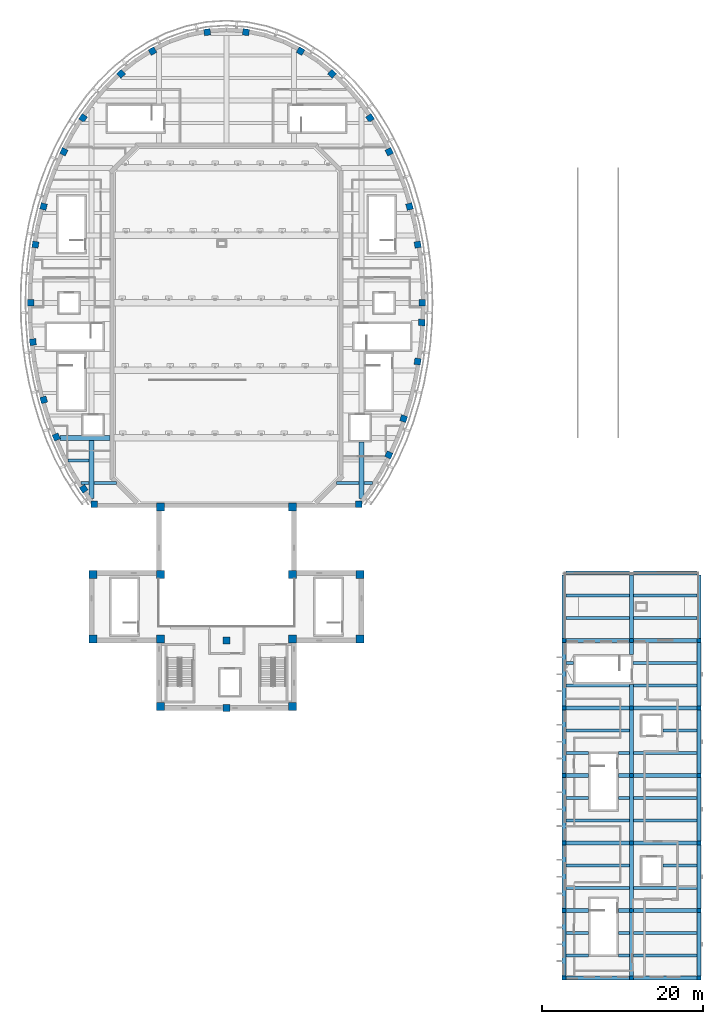
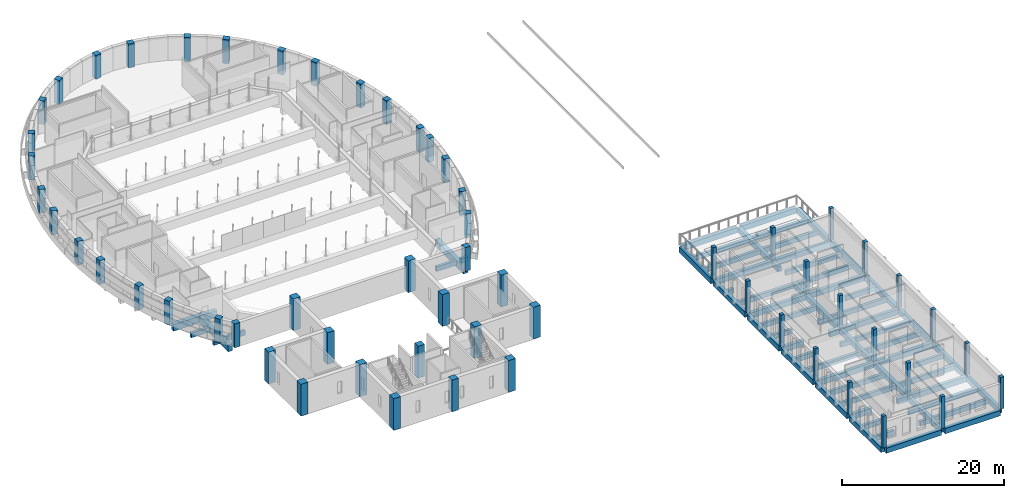
# One storey, part 1 of 47: 71 beams, 58 columns.
"""IFC4 building model written with IfcOpenShell, lengths in metres."""

from ifc_helpers import new_model, si_unit, direction, frame, origin, origin_2d, place, context, subcontext, project, spatial, rectangle, extrude, material, material_profile, profile_set, type_object, element, save


model = new_model("IFC4")

# Units and contexts
model_context = context("Model", 3, precision=1e-05, world=origin(), true_north=direction((0.0, 1.0)))
body_context = subcontext(model_context, "Body", "Model", "MODEL_VIEW")
ifc_project = project(units=[si_unit("LENGTHUNIT", "METRE"), si_unit("AREAUNIT", "SQUARE_METRE"), si_unit("VOLUMEUNIT", "CUBIC_METRE"), si_unit("PLANEANGLEUNIT", "RADIAN"), si_unit("MASSUNIT", "GRAM", prefix="KILO")], contexts=[model_context])

# Site, building, storey
site_placement = place(None, origin())
site = spatial("IfcSite", under=ifc_project, at=site_placement, CompositionType="ELEMENT")
building_placement = place(site_placement, origin())
building = spatial("IfcBuilding", under=site, at=building_placement, Name="Larchfold Concert Hall", CompositionType="ELEMENT")
storey_placement = place(building_placement, frame((0.0, 0.0, 24.0)))
storey = spatial("IfcBuildingStorey", under=building, at=storey_placement, Name="L05", CompositionType="ELEMENT", Elevation=24.0)

# Columns
ifc_material_1 = material(Name="Concrete C35/45", Category="concrete")
ifc_material_profile_1 = material_profile(ifc_material_1, rectangle(XDim=1.0, YDim=1.0, at=origin_2d()))
ifc_profile_set_1 = profile_set([ifc_material_profile_1], Name="Concrete C35/45")
column_type_1 = type_object("IfcColumnType", Name="Column RC 1000x1000", PredefinedType="COLUMN", material=ifc_profile_set_1)
for number, where, z_axis, x_axis, name in (
    (1, (26.0, 42.800048828125, 0.0), (0.0, 0.0, 1.0), (1.0, 0.0, 0.0), "Column C0019"),
    (2, (26.0, 50.800048828125, 0.0), (0.0, 0.0, 1.0), (1.0, 0.0, 0.0), "Column C0020"),
    (3, (34.39990234375, 34.39990234375, 0.0), (0.0, 0.0, 1.0), (1.0, 0.0, 0.0), "Column C0021"),
    (4, (34.39990234375, 42.800048828125, 0.0), (0.0, 0.0, 1.0), (1.0, 0.0, 0.0), "Column C0022"),
    (5, (34.39990234375, 50.800048828125, 0.0), (0.0, 0.0, 1.0), (1.0, 0.0, 0.0), "Column C0023"),
    (6, (34.39990234375, 59.199951171875, 0.0), (0.0, 0.0, 1.0), (1.0, 0.0, 0.0), "Column C0024"),
    (7, (50.800048828125, 34.39990234375, 0.0), (0.0, 0.0, 1.0), (1.0, 0.0, 0.0), "Column C0027"),
    (8, (50.800048828125, 42.800048828125, 0.0), (0.0, 0.0, 1.0), (1.0, 0.0, 0.0), "Column C0028"),
    (9, (50.800048828125, 50.800048828125, 0.0), (0.0, 0.0, 1.0), (1.0, 0.0, 0.0), "Column C0029"),
    (10, (50.800048828125, 59.199951171875, 0.0), (0.0, 0.0, 1.0), (1.0, 0.0, 0.0), "Column C0030"),
    (11, (59.199951171875, 42.800048828125, 0.0), (0.0, 0.0, 1.0), (1.0, 0.0, 0.0), "Column C0031"),
    (12, (59.199951171875, 50.800048828125, 0.0), (0.0, 0.0, 1.0), (1.0, 0.0, 0.0), "Column C0032"),
):
    element("IfcColumn", number, at=place(storey_placement, frame(where, z_axis=z_axis, x_axis=x_axis)), inside=storey, type_object=column_type_1, Name=name, PredefinedType="COLUMN", context=body_context, shape_type="SweptSolid", body=[
        extrude(rectangle(XDim=1.0, YDim=1.0, at=origin_2d()), origin(), (0.0, 0.0, 1.0), 4.800048828125),
    ])
ifc_material_2 = material(Name="Concrete C35/45", Category="concrete")
ifc_material_profile_2 = material_profile(ifc_material_2, rectangle(XDim=0.5, YDim=0.5, at=origin_2d()))
ifc_profile_set_2 = profile_set([ifc_material_profile_2], Name="Concrete C35/45")
column_type_2 = type_object("IfcColumnType", Name="Column RC 500x500", PredefinedType="COLUMN", material=ifc_profile_set_2)
for number, where, z_axis, x_axis, name in (
    (13, (84.60009765625, 0.60009765625, 0.0), (0.0, 0.0, 1.0), (1.0, 0.0, 0.0), "Column C0001"),
    (14, (84.60009765625, 9.0, 0.0), (0.0, 0.0, 1.0), (1.0, 0.0, 0.0), "Column C0002"),
    (15, (84.60009765625, 17.39990234375, 0.0), (0.0, 0.0, 1.0), (1.0, 0.0, 0.0), "Column C0003"),
    (16, (84.60009765625, 25.800048828125, 0.0), (0.0, 0.0, 1.0), (1.0, 0.0, 0.0), "Column C0004"),
    (17, (84.60009765625, 34.199951171875, 0.0), (0.0, 0.0, 1.0), (1.0, 0.0, 0.0), "Column C0005"),
    (18, (84.60009765625, 42.60009765625, 0.0), (0.0, 0.0, 1.0), (1.0, 0.0, 0.0), "Column C0006"),
    (19, (93.0, 0.60009765625, 0.0), (0.0, 0.0, 1.0), (1.0, 0.0, 0.0), "Column C0007"),
    (20, (93.0, 9.0, 0.0), (0.0, 0.0, 1.0), (1.0, 0.0, 0.0), "Column C0008"),
    (21, (93.0, 17.39990234375, 0.0), (0.0, 0.0, 1.0), (1.0, 0.0, 0.0), "Column C0009"),
    (22, (93.0, 25.800048828125, 0.0), (0.0, 0.0, 1.0), (1.0, 0.0, 0.0), "Column C0010"),
    (23, (93.0, 34.199951171875, 0.0), (0.0, 0.0, 1.0), (1.0, 0.0, 0.0), "Column C0011"),
    (24, (93.0, 42.60009765625, 0.0), (0.0, 0.0, 1.0), (1.0, 0.0, 0.0), "Column C0012"),
    (25, (101.39990234375, 0.60009765625, 0.0), (0.0, 0.0, 1.0), (1.0, 0.0, 0.0), "Column C0013"),
    (26, (101.39990234375, 9.0, 0.0), (0.0, 0.0, 1.0), (1.0, 0.0, 0.0), "Column C0014"),
    (27, (101.39990234375, 17.39990234375, 0.0), (0.0, 0.0, 1.0), (1.0, 0.0, 0.0), "Column C0015"),
    (28, (101.39990234375, 25.800048828125, 0.0), (0.0, 0.0, 1.0), (1.0, 0.0, 0.0), "Column C0016"),
    (29, (101.39990234375, 34.199951171875, 0.0), (0.0, 0.0, 1.0), (1.0, 0.0, 0.0), "Column C0017"),
    (30, (101.39990234375, 42.60009765625, 0.0), (0.0, 0.0, 1.0), (1.0, 0.0, 0.0), "Column C0018"),
):
    element("IfcColumn", number, at=place(storey_placement, frame(where, z_axis=z_axis, x_axis=x_axis)), inside=storey, type_object=column_type_2, Name=name, PredefinedType="COLUMN", context=body_context, shape_type="SweptSolid", body=[
        extrude(rectangle(XDim=0.5, YDim=0.5, at=origin_2d()), origin(), (0.0, 0.0, 1.0), 4.800048828125),
    ])
ifc_material_3 = material(Name="Concrete C35/45", Category="concrete")
ifc_material_profile_3 = material_profile(ifc_material_3, rectangle(XDim=0.800048828125, YDim=0.800048828125, at=origin_2d()))
ifc_profile_set_3 = profile_set([ifc_material_profile_3], Name="Concrete C35/45")
column_type_3 = type_object("IfcColumnType", Name="Column RC 800x800", PredefinedType="COLUMN", material=ifc_profile_set_3)
for number, where, z_axis, x_axis, name in (
    (31, (66.9501953125, 84.60009765625, 0.0), (0.0, 0.0, 1.0), (0.999999999998, 2.069699e-06, 0.0), "Column C9001"),
    (32, (66.384765625, 91.849609375, 0.0), (0.0, 0.0, 1.0), (0.987778077668, 0.155866831876, 0.0), "Column C9002"),
    (33, (65.3701171875, 96.591796875, 0.0), (0.0, 0.0, 1.0), (0.964788079418, 0.263028442973, 0.0), "Column C9003"),
    (34, (62.845458984375, 103.404296875, 0.0), (0.0, 0.0, 1.0), (0.901263073046, 0.433272285247, 0.0), "Column C9004"),
    (35, (60.453369140625, 107.615478515625, 0.0), (0.0, 0.0, 1.0), (0.831867887413, 0.55497370919, 0.0), "Column C9005"),
    (36, (55.727783203125, 113.10693359375, 0.0), (0.0, 0.0, 1.0), (0.664881649498, 0.746948721239, 0.0), "Column C9006"),
    (37, (51.81298828125, 115.932373046875, 0.0), (0.0, 0.0, 1.0), (0.494204498977, 0.869345681068, 0.0), "Column C9007"),
    (38, (45.006103515625, 118.2841796875, 0.0), (0.0, 0.0, 1.0), (0.13683054479, 0.990594468999, 0.0), "Column C9008"),
    (39, (40.194091796875, 118.2841796875, 0.0), (0.0, 0.0, 1.0), (0.990595961709, 0.136819737776, 0.0), "Column C9009"),
    (40, (33.38720703125, 115.932373046875, 0.0), (0.0, 0.0, 1.0), (0.869350146356, 0.49419664409, 0.0), "Column C9010"),
    (41, (29.47216796875, 113.10693359375, 0.0), (0.0, 0.0, 1.0), (0.746953596831, 0.664876172066, 0.0), "Column C9011"),
    (42, (24.746826171875, 107.615478515625, 0.0), (0.0, 0.0, 1.0), (0.554977881431, 0.831865103922, 0.0), "Column C9012"),
    (43, (22.354736328125, 103.404296875, 0.0), (0.0, 0.0, 1.0), (0.433275657946, 0.901261451651, 0.0), "Column C9013"),
    (44, (19.830078125, 96.591796875, 0.0), (0.0, 0.0, 1.0), (0.263030529779, 0.964787510493, 0.0), "Column C9014"),
    (45, (18.8154296875, 91.849609375, 0.0), (0.0, 0.0, 1.0), (0.155868072999, 0.987777881823, 0.0), "Column C9015"),
    (46, (18.25, 84.60009765625, 0.0), (0.0, 0.0, 1.0), (2.069716e-06, 0.999999999998, 0.0), "Column C9016"),
    (47, (18.50390625, 79.725830078125, 0.0), (0.0, 0.0, 1.0), (0.994561340283, 0.104152486359, 0.0), "Column C9017"),
    (48, (19.849853515625, 72.53564453125, 0.0), (0.0, 0.0, 1.0), (0.964323619166, 0.264726193489, 0.0), "Column C9018"),
    (49, (21.414794921875, 67.91552734375, 0.0), (0.0, 0.0, 1.0), (0.926013821217, 0.377489606368, 0.0), "Column C9019"),
    (50, (24.830810546875, 61.459228515625, 0.0), (0.0, 0.0, 1.0), (0.829252824487, 0.558873646794, 0.0), "Column C9020"),
    (51, (26.153076171875, 59.5498046875, 0.0), (0.0, 0.0, 1.0), (1.0, 0.0, 0.0), "Column C9021"),
    (52, (59.047119140625, 59.5498046875, 0.0), (0.0, 0.0, 1.0), (1.0, 0.0, 0.0), "Column C9022"),
    (53, (62.793212890625, 65.687255859375, 0.0), (0.0, 0.0, 1.0), (0.436211127096, 0.899844349095, 0.0), "Column C9023"),
    (54, (64.636474609375, 70.2021484375, 0.0), (0.0, 0.0, 1.0), (0.320382697349, 0.947288196506, 0.0), "Column C9024"),
    (55, (66.377685546875, 77.3056640625, 0.0), (0.0, 0.0, 1.0), (0.156847117791, 0.987622894449, 0.0), "Column C9025"),
    (56, (66.88671875, 82.15966796875, 0.0), (0.0, 0.0, 1.0), (0.051949743743, 0.998649700408, 0.0), "Column C9026"),
):
    element("IfcColumn", number, at=place(storey_placement, frame(where, z_axis=z_axis, x_axis=x_axis)), inside=storey, type_object=column_type_3, Name=name, PredefinedType="COLUMN", context=body_context, shape_type="SweptSolid", body=[
        extrude(rectangle(XDim=0.800048828125, YDim=0.800048828125, at=origin_2d()), origin(), (0.0, 0.0, 1.0), 3.60009765625),
    ])
ifc_material_4 = material(Name="Concrete C35/45", Category="concrete")
ifc_material_profile_4 = material_profile(ifc_material_4, rectangle(XDim=0.89990234375, YDim=0.89990234375, at=origin_2d()))
ifc_profile_set_4 = profile_set([ifc_material_profile_4], Name="Concrete C35/45")
column_type_4 = type_object("IfcColumnType", Name="Column RC 900x900", PredefinedType="COLUMN", material=ifc_profile_set_4)
for number, where, z_axis, x_axis, name in (
    (57, (42.60009765625, 34.199951171875, 0.0), (0.0, 0.0, 1.0), (1.0, 0.0, 0.0), "Column C0025"),
    (58, (42.60009765625, 42.60009765625, 0.0), (0.0, 0.0, 1.0), (1.0, 0.0, 0.0), "Column C0026"),
):
    element("IfcColumn", number, at=place(storey_placement, frame(where, z_axis=z_axis, x_axis=x_axis)), inside=storey, type_object=column_type_4, Name=name, PredefinedType="COLUMN", context=body_context, shape_type="SweptSolid", body=[
        extrude(rectangle(XDim=0.89990234375, YDim=0.89990234375, at=origin_2d()), origin(), (0.0, 0.0, 1.0), 4.800048828125),
    ])

# Beams
ifc_material_5 = material(Name="Concrete C35/45", Category="concrete")
ifc_material_profile_5 = material_profile(ifc_material_5, rectangle(XDim=0.39990234375, YDim=0.699951171875, at=origin_2d()))
ifc_profile_set_5 = profile_set([ifc_material_profile_5], Name="Concrete C35/45")
beam_type_1 = type_object("IfcBeamType", Name="Beam RC 400x700", PredefinedType="BEAM", material=ifc_profile_set_5)
beam_1_placement = place(storey_placement, frame((84.85009765625, 3.39990234375, -0.510009765625), z_axis=(1.0, 0.0, 0.0), x_axis=(0.0, 1.0, 0.0)))
element("IfcBeam", 59, at=beam_1_placement, inside=storey, type_object=beam_type_1, Name="Beam B0828", PredefinedType="BEAM", context=body_context, shape_type="SweptSolid", body=[
    extrude(rectangle(XDim=0.39990234375, YDim=0.699951171875, at=origin_2d()), origin(), (0.0, 0.0, 1.0), 2.7998046875),
])
beam_2_placement = place(storey_placement, frame((91.35009765625, 3.39990234375, -0.510009765625), z_axis=(1.0, 0.0, 0.0), x_axis=(0.0, 1.0, 0.0)))
element("IfcBeam", 60, at=beam_2_placement, inside=storey, type_object=beam_type_1, Name="Beam B0829", PredefinedType="BEAM", context=body_context, shape_type="SweptSolid", body=[
    extrude(rectangle(XDim=0.39990234375, YDim=0.699951171875, at=origin_2d()), origin(), (0.0, 0.0, 1.0), 1.39990234375),
])
beam_3_placement = place(storey_placement, frame((93.25, 3.39990234375, -0.510009765625), z_axis=(1.0, 0.0, 0.0), x_axis=(0.0, 1.0, 0.0)))
element("IfcBeam", 61, at=beam_3_placement, inside=storey, type_object=beam_type_1, Name="Beam B0830", PredefinedType="BEAM", context=body_context, shape_type="SweptSolid", body=[
    extrude(rectangle(XDim=0.39990234375, YDim=0.699951171875, at=origin_2d()), origin(), (0.0, 0.0, 1.0), 7.89990234375),
])
beam_4_placement = place(storey_placement, frame((84.85009765625, 6.199951171875, -0.510009765625), z_axis=(1.0, 0.0, 0.0), x_axis=(0.0, 1.0, 0.0)))
element("IfcBeam", 62, at=beam_4_placement, inside=storey, type_object=beam_type_1, Name="Beam B0831", PredefinedType="BEAM", context=body_context, shape_type="SweptSolid", body=[
    extrude(rectangle(XDim=0.39990234375, YDim=0.699951171875, at=origin_2d()), origin(), (0.0, 0.0, 1.0), 2.7998046875),
])
beam_5_placement = place(storey_placement, frame((91.35009765625, 6.199951171875, -0.510009765625), z_axis=(1.0, 0.0, 0.0), x_axis=(0.0, 1.0, 0.0)))
element("IfcBeam", 63, at=beam_5_placement, inside=storey, type_object=beam_type_1, Name="Beam B0832", PredefinedType="BEAM", context=body_context, shape_type="SweptSolid", body=[
    extrude(rectangle(XDim=0.39990234375, YDim=0.699951171875, at=origin_2d()), origin(), (0.0, 0.0, 1.0), 1.39990234375),
])
for number, where, z_axis, x_axis, name in (
    (64, (93.25, 6.199951171875, -0.510009765625), (1.0, 0.0, 0.0), (0.0, 1.0, 0.0), "Beam B0833"),
    (65, (84.85009765625, 11.800048828125, -0.510009765625), (1.0, 0.0, 0.0), (0.0, 1.0, 0.0), "Beam B0834"),
    (66, (93.25, 11.800048828125, -0.510009765625), (1.0, 0.0, 0.0), (0.0, 1.0, 0.0), "Beam B0835"),
    (67, (84.85009765625, 14.60009765625, -0.510009765625), (1.0, 0.0, 0.0), (0.0, 1.0, 0.0), "Beam B0836"),
):
    element("IfcBeam", number, at=place(storey_placement, frame(where, z_axis=z_axis, x_axis=x_axis)), inside=storey, type_object=beam_type_1, Name=name, PredefinedType="BEAM", context=body_context, shape_type="SweptSolid", body=[
        extrude(rectangle(XDim=0.39990234375, YDim=0.699951171875, at=origin_2d()), origin(), (0.0, 0.0, 1.0), 7.89990234375),
    ])
beam_6_placement = place(storey_placement, frame((96.89990234375, 14.60009765625, -0.510009765625), z_axis=(1.0, 0.0, 0.0), x_axis=(0.0, 1.0, 0.0)))
element("IfcBeam", 68, at=beam_6_placement, inside=storey, type_object=beam_type_1, Name="Beam B0837", PredefinedType="BEAM", context=body_context, shape_type="SweptSolid", body=[
    extrude(rectangle(XDim=0.39990234375, YDim=0.699951171875, at=origin_2d()), origin(), (0.0, 0.0, 1.0), 4.25),
])
for number, where, z_axis, x_axis, name in (
    (69, (84.85009765625, 20.199951171875, -0.510009765625), (1.0, 0.0, 0.0), (0.0, 1.0, 0.0), "Beam B0838"),
    (70, (93.25, 20.199951171875, -0.510009765625), (1.0, 0.0, 0.0), (0.0, 1.0, 0.0), "Beam B0839"),
):
    element("IfcBeam", number, at=place(storey_placement, frame(where, z_axis=z_axis, x_axis=x_axis)), inside=storey, type_object=beam_type_1, Name=name, PredefinedType="BEAM", context=body_context, shape_type="SweptSolid", body=[
        extrude(rectangle(XDim=0.39990234375, YDim=0.699951171875, at=origin_2d()), origin(), (0.0, 0.0, 1.0), 7.89990234375),
    ])
beam_7_placement = place(storey_placement, frame((84.85009765625, 23.0, -0.510009765625), z_axis=(1.0, 0.0, 0.0), x_axis=(0.0, 1.0, 0.0)))
element("IfcBeam", 71, at=beam_7_placement, inside=storey, type_object=beam_type_1, Name="Beam B0840", PredefinedType="BEAM", context=body_context, shape_type="SweptSolid", body=[
    extrude(rectangle(XDim=0.39990234375, YDim=0.699951171875, at=origin_2d()), origin(), (0.0, 0.0, 1.0), 2.7998046875),
])
beam_8_placement = place(storey_placement, frame((91.35009765625, 23.0, -0.510009765625), z_axis=(1.0, 0.0, 0.0), x_axis=(0.0, 1.0, 0.0)))
element("IfcBeam", 72, at=beam_8_placement, inside=storey, type_object=beam_type_1, Name="Beam B0841", PredefinedType="BEAM", context=body_context, shape_type="SweptSolid", body=[
    extrude(rectangle(XDim=0.39990234375, YDim=0.699951171875, at=origin_2d()), origin(), (0.0, 0.0, 1.0), 1.39990234375),
])
beam_9_placement = place(storey_placement, frame((93.25, 23.0, -0.510009765625), z_axis=(1.0, 0.0, 0.0), x_axis=(0.0, 1.0, 0.0)))
element("IfcBeam", 73, at=beam_9_placement, inside=storey, type_object=beam_type_1, Name="Beam B0842", PredefinedType="BEAM", context=body_context, shape_type="SweptSolid", body=[
    extrude(rectangle(XDim=0.39990234375, YDim=0.699951171875, at=origin_2d()), origin(), (0.0, 0.0, 1.0), 7.89990234375),
])
beam_10_placement = place(storey_placement, frame((84.85009765625, 28.60009765625, -0.510009765625), z_axis=(1.0, 0.0, 0.0), x_axis=(0.0, 1.0, 0.0)))
element("IfcBeam", 74, at=beam_10_placement, inside=storey, type_object=beam_type_1, Name="Beam B0843", PredefinedType="BEAM", context=body_context, shape_type="SweptSolid", body=[
    extrude(rectangle(XDim=0.39990234375, YDim=0.699951171875, at=origin_2d()), origin(), (0.0, 0.0, 1.0), 2.7998046875),
])
beam_11_placement = place(storey_placement, frame((91.35009765625, 28.60009765625, -0.510009765625), z_axis=(1.0, 0.0, 0.0), x_axis=(0.0, 1.0, 0.0)))
element("IfcBeam", 75, at=beam_11_placement, inside=storey, type_object=beam_type_1, Name="Beam B0844", PredefinedType="BEAM", context=body_context, shape_type="SweptSolid", body=[
    extrude(rectangle(XDim=0.39990234375, YDim=0.699951171875, at=origin_2d()), origin(), (0.0, 0.0, 1.0), 1.39990234375),
])
for number, where, z_axis, x_axis, name in (
    (76, (93.25, 28.60009765625, -0.510009765625), (1.0, 0.0, 0.0), (0.0, 1.0, 0.0), "Beam B0845"),
    (77, (84.85009765625, 31.39990234375, -0.510009765625), (1.0, 0.0, 0.0), (0.0, 1.0, 0.0), "Beam B0846"),
):
    element("IfcBeam", number, at=place(storey_placement, frame(where, z_axis=z_axis, x_axis=x_axis)), inside=storey, type_object=beam_type_1, Name=name, PredefinedType="BEAM", context=body_context, shape_type="SweptSolid", body=[
        extrude(rectangle(XDim=0.39990234375, YDim=0.699951171875, at=origin_2d()), origin(), (0.0, 0.0, 1.0), 7.89990234375),
    ])
beam_12_placement = place(storey_placement, frame((96.89990234375, 31.39990234375, -0.510009765625), z_axis=(1.0, 0.0, 0.0), x_axis=(0.0, 1.0, 0.0)))
element("IfcBeam", 78, at=beam_12_placement, inside=storey, type_object=beam_type_1, Name="Beam B0847", PredefinedType="BEAM", context=body_context, shape_type="SweptSolid", body=[
    extrude(rectangle(XDim=0.39990234375, YDim=0.699951171875, at=origin_2d()), origin(), (0.0, 0.0, 1.0), 4.25),
])
for number, where, z_axis, x_axis, name in (
    (79, (84.85009765625, 37.0, -0.510009765625), (1.0, 0.0, 0.0), (0.0, 1.0, 0.0), "Beam B0848"),
    (80, (93.25, 37.0, -0.510009765625), (1.0, 0.0, 0.0), (0.0, 1.0, 0.0), "Beam B0849"),
):
    element("IfcBeam", number, at=place(storey_placement, frame(where, z_axis=z_axis, x_axis=x_axis)), inside=storey, type_object=beam_type_1, Name=name, PredefinedType="BEAM", context=body_context, shape_type="SweptSolid", body=[
        extrude(rectangle(XDim=0.39990234375, YDim=0.699951171875, at=origin_2d()), origin(), (0.0, 0.0, 1.0), 7.89990234375),
    ])
beam_13_placement = place(storey_placement, frame((84.85009765625, 39.800048828125, -0.510009765625), z_axis=(1.0, 0.0, 0.0), x_axis=(0.0, 1.0, 0.0)))
element("IfcBeam", 81, at=beam_13_placement, inside=storey, type_object=beam_type_1, Name="Beam B0850", PredefinedType="BEAM", context=body_context, shape_type="SweptSolid", body=[
    extrude(rectangle(XDim=0.39990234375, YDim=0.699951171875, at=origin_2d()), origin(), (0.0, 0.0, 1.0), 0.949951171875),
])
beam_14_placement = place(storey_placement, frame((93.199951171875, 39.800048828125, -0.510009765625), z_axis=(1.0, 0.0, 0.0), x_axis=(0.0, 1.0, 0.0)))
element("IfcBeam", 82, at=beam_14_placement, inside=storey, type_object=beam_type_1, Name="Beam B0851", PredefinedType="BEAM", context=body_context, shape_type="SweptSolid", body=[
    extrude(rectangle(XDim=0.39990234375, YDim=0.699951171875, at=origin_2d()), origin(), (0.0, 0.0, 1.0), 7.949951171875),
])
for number, where, z_axis, x_axis, name in (
    (83, (84.85009765625, 45.39990234375, -0.510009765625), (1.0, 0.0, 0.0), (0.0, 1.0, 0.0), "Beam B0852"),
    (84, (93.25, 45.39990234375, -0.510009765625), (1.0, 0.0, 0.0), (0.0, 1.0, 0.0), "Beam B0853"),
    (85, (84.85009765625, 48.199951171875, -0.510009765625), (1.0, 0.0, 0.0), (0.0, 1.0, 0.0), "Beam B0854"),
    (86, (93.25, 48.199951171875, -0.510009765625), (1.0, 0.0, 0.0), (0.0, 1.0, 0.0), "Beam B0855"),
):
    element("IfcBeam", number, at=place(storey_placement, frame(where, z_axis=z_axis, x_axis=x_axis)), inside=storey, type_object=beam_type_1, Name=name, PredefinedType="BEAM", context=body_context, shape_type="SweptSolid", body=[
        extrude(rectangle(XDim=0.39990234375, YDim=0.699951171875, at=origin_2d()), origin(), (0.0, 0.0, 1.0), 7.89990234375),
    ])
beam_15_placement = place(storey_placement, frame((24.465087890625, 62.199951171875, -0.550048828125), z_axis=(1.0, 0.0, 0.0), x_axis=(0.0, 1.0, 0.0)))
element("IfcBeam", 87, at=beam_15_placement, inside=storey, type_object=beam_type_1, Name="Beam B1550", PredefinedType="BEAM", context=body_context, shape_type="SweptSolid", body=[
    extrude(rectangle(XDim=0.39990234375, YDim=0.699951171875, at=origin_2d()), origin(), (0.0, 0.0, 1.0), 1.034912109375),
])
for number, where, z_axis, x_axis, name in (
    (88, (26.10009765625, 62.199951171875, -0.550048828125), (1.0, 0.0, 0.0), (0.0, 1.0, 0.0), "Beam B1551"),
    (89, (56.26416015625, 62.199951171875, -0.550048828125), (1.0, 0.0, 0.0), (0.0, 1.0, 0.0), "Beam B1552"),
):
    element("IfcBeam", number, at=place(storey_placement, frame(where, z_axis=z_axis, x_axis=x_axis)), inside=storey, type_object=beam_type_1, Name=name, PredefinedType="BEAM", context=body_context, shape_type="SweptSolid", body=[
        extrude(rectangle(XDim=0.39990234375, YDim=0.699951171875, at=origin_2d()), origin(), (0.0, 0.0, 1.0), 2.8359375),
    ])
beam_16_placement = place(storey_placement, frame((59.699951171875, 62.199951171875, -0.550048828125), z_axis=(1.0, 0.0, 0.0), x_axis=(0.0, 1.0, 0.0)))
element("IfcBeam", 90, at=beam_16_placement, inside=storey, type_object=beam_type_1, Name="Beam B1553", PredefinedType="BEAM", context=body_context, shape_type="SweptSolid", body=[
    extrude(rectangle(XDim=0.39990234375, YDim=0.699951171875, at=origin_2d()), origin(), (0.0, 0.0, 1.0), 1.03515625),
])
beam_17_placement = place(storey_placement, frame((22.860107421875, 65.0, -0.550048828125), z_axis=(1.0, 0.0, 0.0), x_axis=(0.0, 1.0, 0.0)))
element("IfcBeam", 91, at=beam_17_placement, inside=storey, type_object=beam_type_1, Name="Beam B1554", PredefinedType="BEAM", context=body_context, shape_type="SweptSolid", body=[
    extrude(rectangle(XDim=0.39990234375, YDim=0.699951171875, at=origin_2d()), origin(), (0.0, 0.0, 1.0), 2.639892578125),
])
ifc_material_6 = material(Name="Concrete C35/45", Category="concrete")
ifc_material_profile_6 = material_profile(ifc_material_6, rectangle(XDim=0.5, YDim=0.800048828125, at=origin_2d()))
ifc_profile_set_6 = profile_set([ifc_material_profile_6], Name="Concrete C35/45")
beam_type_2 = type_object("IfcBeamType", Name="Beam RC 500x800", PredefinedType="BEAM", material=ifc_profile_set_6)
for number, where, z_axis, x_axis, name in (
    (92, (84.60009765625, 0.85009765625, -0.56005859375), (0.0, 1.0, 0.0), (-1.0, 0.0, 0.0), "Beam B0793"),
    (93, (84.60009765625, 9.25, -0.56005859375), (0.0, 1.0, 0.0), (-1.0, 0.0, 0.0), "Beam B0794"),
):
    element("IfcBeam", number, at=place(storey_placement, frame(where, z_axis=z_axis, x_axis=x_axis)), inside=storey, type_object=beam_type_2, Name=name, PredefinedType="BEAM", context=body_context, shape_type="SweptSolid", body=[
        extrude(rectangle(XDim=0.5, YDim=0.800048828125, at=origin_2d()), origin(), (0.0, 0.0, 1.0), 7.89990234375),
    ])
beam_18_placement = place(storey_placement, frame((84.60009765625, 17.64990234375, -0.56005859375), z_axis=(0.0, 1.0, 0.0), x_axis=(-1.0, 0.0, 0.0)))
element("IfcBeam", 94, at=beam_18_placement, inside=storey, type_object=beam_type_2, Name="Beam B0795", PredefinedType="BEAM", context=body_context, shape_type="SweptSolid", body=[
    extrude(rectangle(XDim=0.5, YDim=0.800048828125, at=origin_2d()), origin(), (0.0, 0.0, 1.0), 7.900146484375),
])
beam_19_placement = place(storey_placement, frame((84.60009765625, 26.050048828125, -0.56005859375), z_axis=(0.0, 1.0, 0.0), x_axis=(-1.0, 0.0, 0.0)))
element("IfcBeam", 95, at=beam_19_placement, inside=storey, type_object=beam_type_2, Name="Beam B0796", PredefinedType="BEAM", context=body_context, shape_type="SweptSolid", body=[
    extrude(rectangle(XDim=0.5, YDim=0.800048828125, at=origin_2d()), origin(), (0.0, 0.0, 1.0), 7.89990234375),
])
beam_20_placement = place(storey_placement, frame((84.60009765625, 34.449951171875, -0.56005859375), z_axis=(0.0, 1.0, 0.0), x_axis=(-1.0, 0.0, 0.0)))
element("IfcBeam", 96, at=beam_20_placement, inside=storey, type_object=beam_type_2, Name="Beam B0797", PredefinedType="BEAM", context=body_context, shape_type="SweptSolid", body=[
    extrude(rectangle(XDim=0.5, YDim=0.800048828125, at=origin_2d()), origin(), (0.0, 0.0, 1.0), 7.900146484375),
])
for number, where, z_axis, x_axis, name in (
    (97, (84.60009765625, 42.85009765625, -0.56005859375), (0.0, 1.0, 0.0), (-1.0, 0.0, 0.0), "Beam B0798"),
    (98, (93.0, 0.85009765625, -0.56005859375), (0.0, 1.0, 0.0), (-1.0, 0.0, 0.0), "Beam B0799"),
    (99, (93.0, 9.25, -0.56005859375), (0.0, 1.0, 0.0), (-1.0, 0.0, 0.0), "Beam B0800"),
):
    element("IfcBeam", number, at=place(storey_placement, frame(where, z_axis=z_axis, x_axis=x_axis)), inside=storey, type_object=beam_type_2, Name=name, PredefinedType="BEAM", context=body_context, shape_type="SweptSolid", body=[
        extrude(rectangle(XDim=0.5, YDim=0.800048828125, at=origin_2d()), origin(), (0.0, 0.0, 1.0), 7.89990234375),
    ])
beam_21_placement = place(storey_placement, frame((93.0, 17.64990234375, -0.56005859375), z_axis=(0.0, 1.0, 0.0), x_axis=(-1.0, 0.0, 0.0)))
element("IfcBeam", 100, at=beam_21_placement, inside=storey, type_object=beam_type_2, Name="Beam B0801", PredefinedType="BEAM", context=body_context, shape_type="SweptSolid", body=[
    extrude(rectangle(XDim=0.5, YDim=0.800048828125, at=origin_2d()), origin(), (0.0, 0.0, 1.0), 7.900146484375),
])
beam_22_placement = place(storey_placement, frame((93.0, 26.050048828125, -0.56005859375), z_axis=(0.0, 1.0, 0.0), x_axis=(-1.0, 0.0, 0.0)))
element("IfcBeam", 101, at=beam_22_placement, inside=storey, type_object=beam_type_2, Name="Beam B0802", PredefinedType="BEAM", context=body_context, shape_type="SweptSolid", body=[
    extrude(rectangle(XDim=0.5, YDim=0.800048828125, at=origin_2d()), origin(), (0.0, 0.0, 1.0), 7.89990234375),
])
beam_23_placement = place(storey_placement, frame((93.0, 34.449951171875, -0.56005859375), z_axis=(0.0, 1.0, 0.0), x_axis=(-1.0, 0.0, 0.0)))
element("IfcBeam", 102, at=beam_23_placement, inside=storey, type_object=beam_type_2, Name="Beam B0803", PredefinedType="BEAM", context=body_context, shape_type="SweptSolid", body=[
    extrude(rectangle(XDim=0.5, YDim=0.800048828125, at=origin_2d()), origin(), (0.0, 0.0, 1.0), 2.699951171875),
])
beam_24_placement = place(storey_placement, frame((93.0, 40.85009765625, -0.56005859375), z_axis=(0.0, 1.0, 0.0), x_axis=(-1.0, 0.0, 0.0)))
element("IfcBeam", 103, at=beam_24_placement, inside=storey, type_object=beam_type_2, Name="Beam B0804", PredefinedType="BEAM", context=body_context, shape_type="SweptSolid", body=[
    extrude(rectangle(XDim=0.5, YDim=0.800048828125, at=origin_2d()), origin(), (0.0, 0.0, 1.0), 1.5),
])
for number, where, z_axis, x_axis, name in (
    (104, (93.0, 42.85009765625, -0.56005859375), (0.0, 1.0, 0.0), (-1.0, 0.0, 0.0), "Beam B0805"),
    (105, (101.39990234375, 0.85009765625, -0.56005859375), (0.0, 1.0, 0.0), (-1.0, 0.0, 0.0), "Beam B0806"),
    (106, (101.39990234375, 9.25, -0.56005859375), (0.0, 1.0, 0.0), (-1.0, 0.0, 0.0), "Beam B0807"),
):
    element("IfcBeam", number, at=place(storey_placement, frame(where, z_axis=z_axis, x_axis=x_axis)), inside=storey, type_object=beam_type_2, Name=name, PredefinedType="BEAM", context=body_context, shape_type="SweptSolid", body=[
        extrude(rectangle(XDim=0.5, YDim=0.800048828125, at=origin_2d()), origin(), (0.0, 0.0, 1.0), 7.89990234375),
    ])
beam_25_placement = place(storey_placement, frame((101.39990234375, 17.64990234375, -0.56005859375), z_axis=(0.0, 1.0, 0.0), x_axis=(-1.0, 0.0, 0.0)))
element("IfcBeam", 107, at=beam_25_placement, inside=storey, type_object=beam_type_2, Name="Beam B0808", PredefinedType="BEAM", context=body_context, shape_type="SweptSolid", body=[
    extrude(rectangle(XDim=0.5, YDim=0.800048828125, at=origin_2d()), origin(), (0.0, 0.0, 1.0), 7.900146484375),
])
beam_26_placement = place(storey_placement, frame((101.39990234375, 26.050048828125, -0.56005859375), z_axis=(0.0, 1.0, 0.0), x_axis=(-1.0, 0.0, 0.0)))
element("IfcBeam", 108, at=beam_26_placement, inside=storey, type_object=beam_type_2, Name="Beam B0809", PredefinedType="BEAM", context=body_context, shape_type="SweptSolid", body=[
    extrude(rectangle(XDim=0.5, YDim=0.800048828125, at=origin_2d()), origin(), (0.0, 0.0, 1.0), 7.89990234375),
])
beam_27_placement = place(storey_placement, frame((101.39990234375, 34.449951171875, -0.56005859375), z_axis=(0.0, 1.0, 0.0), x_axis=(-1.0, 0.0, 0.0)))
element("IfcBeam", 109, at=beam_27_placement, inside=storey, type_object=beam_type_2, Name="Beam B0810", PredefinedType="BEAM", context=body_context, shape_type="SweptSolid", body=[
    extrude(rectangle(XDim=0.5, YDim=0.800048828125, at=origin_2d()), origin(), (0.0, 0.0, 1.0), 7.900146484375),
])
for number, where, z_axis, x_axis, name in (
    (110, (101.39990234375, 42.85009765625, -0.56005859375), (0.0, 1.0, 0.0), (-1.0, 0.0, 0.0), "Beam B0811"),
    (111, (84.85009765625, 0.60009765625, -0.56005859375), (1.0, 0.0, 0.0), (0.0, 1.0, 0.0), "Beam B0812"),
    (112, (93.25, 0.60009765625, -0.56005859375), (1.0, 0.0, 0.0), (0.0, 1.0, 0.0), "Beam B0813"),
):
    element("IfcBeam", number, at=place(storey_placement, frame(where, z_axis=z_axis, x_axis=x_axis)), inside=storey, type_object=beam_type_2, Name=name, PredefinedType="BEAM", context=body_context, shape_type="SweptSolid", body=[
        extrude(rectangle(XDim=0.5, YDim=0.800048828125, at=origin_2d()), origin(), (0.0, 0.0, 1.0), 7.89990234375),
    ])
beam_28_placement = place(storey_placement, frame((84.85009765625, 9.0, -0.56005859375), z_axis=(1.0, 0.0, 0.0), x_axis=(0.0, 1.0, 0.0)))
element("IfcBeam", 113, at=beam_28_placement, inside=storey, type_object=beam_type_2, Name="Beam B0814", PredefinedType="BEAM", context=body_context, shape_type="SweptSolid", body=[
    extrude(rectangle(XDim=0.5, YDim=0.800048828125, at=origin_2d()), origin(), (0.0, 0.0, 1.0), 2.7998046875),
])
beam_29_placement = place(storey_placement, frame((91.35009765625, 9.0, -0.56005859375), z_axis=(1.0, 0.0, 0.0), x_axis=(0.0, 1.0, 0.0)))
element("IfcBeam", 114, at=beam_29_placement, inside=storey, type_object=beam_type_2, Name="Beam B0815", PredefinedType="BEAM", context=body_context, shape_type="SweptSolid", body=[
    extrude(rectangle(XDim=0.5, YDim=0.800048828125, at=origin_2d()), origin(), (0.0, 0.0, 1.0), 1.39990234375),
])
for number, where, z_axis, x_axis, name in (
    (115, (93.25, 9.0, -0.56005859375), (1.0, 0.0, 0.0), (0.0, 1.0, 0.0), "Beam B0816"),
    (116, (84.85009765625, 17.39990234375, -0.56005859375), (1.0, 0.0, 0.0), (0.0, 1.0, 0.0), "Beam B0817"),
    (117, (93.25, 17.39990234375, -0.56005859375), (1.0, 0.0, 0.0), (0.0, 1.0, 0.0), "Beam B0818"),
):
    element("IfcBeam", number, at=place(storey_placement, frame(where, z_axis=z_axis, x_axis=x_axis)), inside=storey, type_object=beam_type_2, Name=name, PredefinedType="BEAM", context=body_context, shape_type="SweptSolid", body=[
        extrude(rectangle(XDim=0.5, YDim=0.800048828125, at=origin_2d()), origin(), (0.0, 0.0, 1.0), 7.89990234375),
    ])
beam_30_placement = place(storey_placement, frame((84.85009765625, 25.800048828125, -0.56005859375), z_axis=(1.0, 0.0, 0.0), x_axis=(0.0, 1.0, 0.0)))
element("IfcBeam", 118, at=beam_30_placement, inside=storey, type_object=beam_type_2, Name="Beam B0819", PredefinedType="BEAM", context=body_context, shape_type="SweptSolid", body=[
    extrude(rectangle(XDim=0.5, YDim=0.800048828125, at=origin_2d()), origin(), (0.0, 0.0, 1.0), 2.7998046875),
])
beam_31_placement = place(storey_placement, frame((91.35009765625, 25.800048828125, -0.56005859375), z_axis=(1.0, 0.0, 0.0), x_axis=(0.0, 1.0, 0.0)))
element("IfcBeam", 119, at=beam_31_placement, inside=storey, type_object=beam_type_2, Name="Beam B0820", PredefinedType="BEAM", context=body_context, shape_type="SweptSolid", body=[
    extrude(rectangle(XDim=0.5, YDim=0.800048828125, at=origin_2d()), origin(), (0.0, 0.0, 1.0), 1.39990234375),
])
for number, where, z_axis, x_axis, name in (
    (120, (93.25, 25.800048828125, -0.56005859375), (1.0, 0.0, 0.0), (0.0, 1.0, 0.0), "Beam B0821"),
    (121, (84.85009765625, 34.199951171875, -0.56005859375), (1.0, 0.0, 0.0), (0.0, 1.0, 0.0), "Beam B0822"),
    (122, (93.25, 34.199951171875, -0.56005859375), (1.0, 0.0, 0.0), (0.0, 1.0, 0.0), "Beam B0823"),
    (123, (84.85009765625, 42.60009765625, -0.56005859375), (1.0, 0.0, 0.0), (0.0, 1.0, 0.0), "Beam B0824"),
    (124, (93.25, 42.60009765625, -0.56005859375), (1.0, 0.0, 0.0), (0.0, 1.0, 0.0), "Beam B0825"),
    (125, (84.85009765625, 51.0, -0.56005859375), (1.0, 0.0, 0.0), (0.0, 1.0, 0.0), "Beam B0826"),
    (126, (93.25, 51.0, -0.56005859375), (1.0, 0.0, 0.0), (0.0, 1.0, 0.0), "Beam B0827"),
):
    element("IfcBeam", number, at=place(storey_placement, frame(where, z_axis=z_axis, x_axis=x_axis)), inside=storey, type_object=beam_type_2, Name=name, PredefinedType="BEAM", context=body_context, shape_type="SweptSolid", body=[
        extrude(rectangle(XDim=0.5, YDim=0.800048828125, at=origin_2d()), origin(), (0.0, 0.0, 1.0), 7.89990234375),
    ])
ifc_material_7 = material(Name="Concrete C35/45", Category="concrete")
ifc_material_profile_7 = material_profile(ifc_material_7, rectangle(XDim=0.60009765625, YDim=1.0, at=origin_2d()))
ifc_profile_set_7 = profile_set([ifc_material_profile_7], Name="Concrete C35/45")
beam_type_3 = type_object("IfcBeamType", Name="Beam RC 600x1000", PredefinedType="BEAM", material=ifc_profile_set_7)
beam_32_placement = place(storey_placement, frame((25.800048828125, 60.271240234375, -0.699951171875), z_axis=(0.0, 1.0, 0.0), x_axis=(-1.0, 0.0, 0.0)))
element("IfcBeam", 127, at=beam_32_placement, inside=storey, type_object=beam_type_3, Name="Beam B1521", PredefinedType="BEAM", context=body_context, shape_type="SweptSolid", body=[
    extrude(rectangle(XDim=0.60009765625, YDim=1.0, at=origin_2d()), origin(), (0.0, 0.0, 1.0), 7.728759765625),
])
beam_33_placement = place(storey_placement, frame((59.39990234375, 60.27099609375, -0.699951171875), z_axis=(0.0, 1.0, 0.0), x_axis=(-1.0, 0.0, 0.0)))
element("IfcBeam", 128, at=beam_33_placement, inside=storey, type_object=beam_type_3, Name="Beam B1529", PredefinedType="BEAM", context=body_context, shape_type="SweptSolid", body=[
    extrude(rectangle(XDim=0.60009765625, YDim=1.0, at=origin_2d()), origin(), (0.0, 0.0, 1.0), 7.029052734375),
])
beam_34_placement = place(storey_placement, frame((21.893798828125, 67.800048828125, -0.699951171875), z_axis=(1.0, 0.0, 0.0), x_axis=(0.0, 1.0, 0.0)))
element("IfcBeam", 129, at=beam_34_placement, inside=storey, type_object=beam_type_3, Name="Beam B1532", PredefinedType="BEAM", context=body_context, shape_type="SweptSolid", body=[
    extrude(rectangle(XDim=0.60009765625, YDim=1.0, at=origin_2d()), origin(), (0.0, 0.0, 1.0), 6.1962890625),
])

save(model, "model.ifc")
